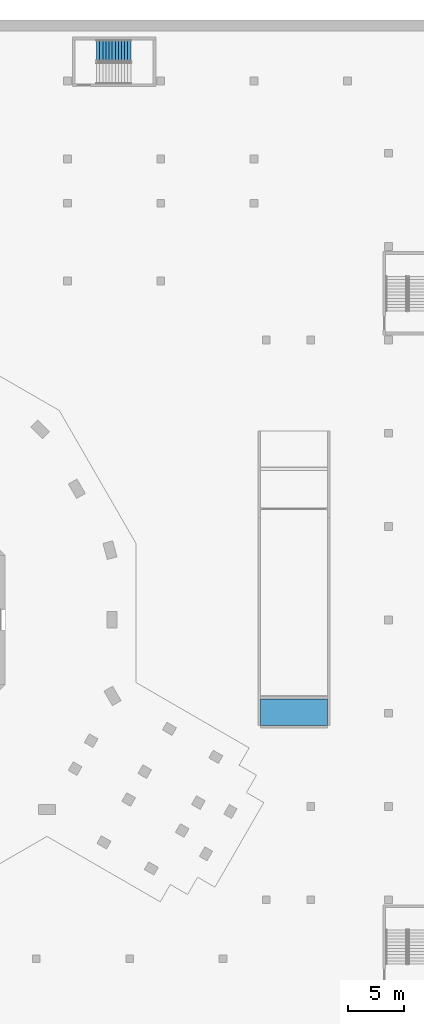
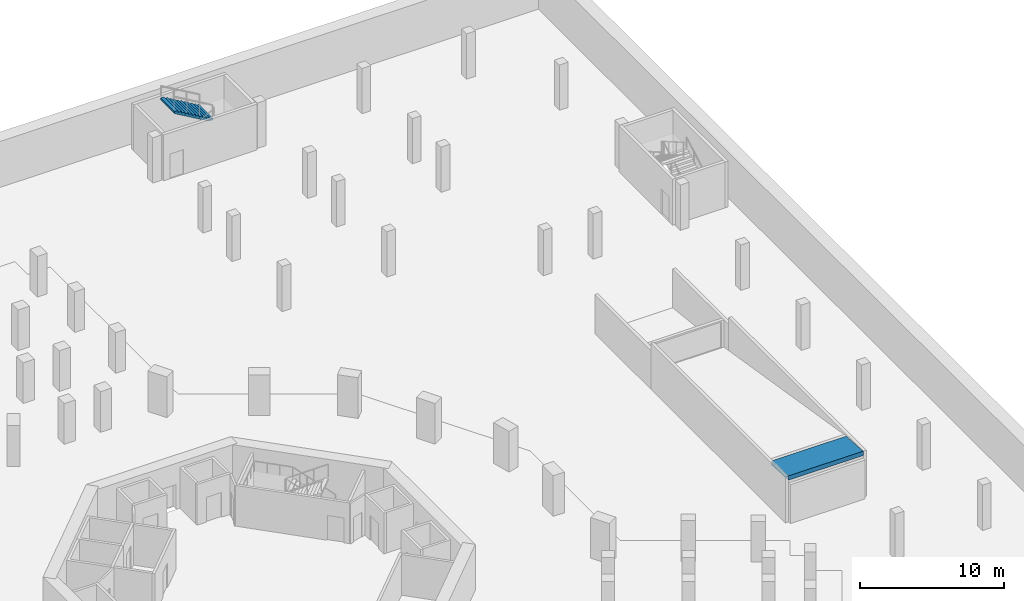
# One storey, part 18 of 25: 1 ramp flight, 1 stair flight, 2 elements without a shape of their own.
"""IFC4 building model written with IfcOpenShell, lengths in metres."""

from ifc_helpers import new_model, si_unit, direction, frame, origin, place, context, subcontext, project, spatial, triangles, material, layer, layer_set, type_object, element, aggregate, save


model = new_model("IFC4")

# Units and contexts
model_context = context("Model", 3, precision=1e-05, world=origin(), true_north=direction((0.0, 1.0)))
body_context = subcontext(model_context, "Body", "Model", "MODEL_VIEW")
ifc_project = project(units=[si_unit("LENGTHUNIT", "METRE"), si_unit("AREAUNIT", "SQUARE_METRE"), si_unit("VOLUMEUNIT", "CUBIC_METRE"), si_unit("PLANEANGLEUNIT", "RADIAN"), si_unit("MASSUNIT", "GRAM", prefix="KILO")], contexts=[model_context])

# Site, building, storey
site_placement = place(None, origin())
site = spatial("IfcSite", under=ifc_project, at=site_placement, CompositionType="ELEMENT")
building_placement = place(site_placement, origin())
building = spatial("IfcBuilding", under=site, at=building_placement, Name="Verdalira Terraces Hotel", CompositionType="ELEMENT")
storey_placement = place(building_placement, frame((0.0, 0.0, -3.899902)))
storey = spatial("IfcBuildingStorey", under=building, at=storey_placement, Name="B1", CompositionType="ELEMENT", Elevation=-3.89990234375)

# Stair, stair flight
ifc_material_1 = material(Name="Concrete C40", Category="concrete")
stair_type = type_object("IfcStairType", Name="Car park stair 24 risers", PredefinedType="HALF_TURN_STAIR", material=ifc_material_1)
stair_placement = place(storey_placement, origin())
stair = element("IfcStair", 1, at=stair_placement, inside=storey, type_object=stair_type, Name="B1 Exit stair Basement stair 3", PredefinedType="HALF_TURN_STAIR")
ifc_material_2 = material(Name="Concrete C40", Category="concrete")
stair_flight_type = type_object("IfcStairFlightType", Name="Car park stair flight 24 risers", PredefinedType="STRAIGHT", material=ifc_material_2)
stair_flight_placement = place(storey_placement, frame((25.304932, 51.237549, 1.949951), z_axis=(0.0, 0.0, 1.0), x_axis=(-1.0, 0.0, 0.0)))
stair_flight = element("IfcStairFlight", 2, at=stair_flight_placement, type_object=stair_flight_type, Name="Basement stair 3 flight 2", NumberOfRisers=12, NumberOfTreads=11, PredefinedType="STRAIGHT", RiserHeight=0.1625, TreadLength=0.28, context=body_context, shape_type="Tessellation", body=[
    triangles([(0.0, 0.962524, 0.0), (0.298584, 0.962524, 0.0), (3.080078, 0.962524, 1.614258), (0.0, -0.962524, 0.0), (0.298584, -0.962524, 0.0), (3.080078, -0.962524, 1.614258), (3.080078, 0.962524, 1.787598), (2.800049, 0.962524, 1.787598), (3.080078, -0.962524, 1.787598), (2.800049, -0.962524, 1.787598), (2.800049, 0.962524, 1.625), (2.800049, -0.962524, 1.625), (2.52002, 0.962524, 1.625), (2.52002, -0.962524, 1.625), (2.52002, 0.962524, 1.462402), (2.52002, -0.962524, 1.462402), (2.23999, 0.962524, 1.462402), (2.23999, 0.962524, 1.300049), (2.23999, -0.962524, 1.462402), (2.23999, -0.962524, 1.300049), (1.959961, 0.962524, 1.300049), (1.959961, 0.962524, 1.137451), (1.959961, -0.962524, 1.300049), (1.959961, -0.962524, 1.137451), (1.679932, 0.962524, 1.137451), (1.679932, 0.962524, 0.975098), (1.679932, -0.962524, 1.137451), (1.679932, -0.962524, 0.975098), (1.399902, 0.962524, 0.975098), (1.399902, 0.962524, 0.8125), (1.399902, -0.962524, 0.975098), (1.399902, -0.962524, 0.8125), (1.120117, 0.962524, 0.8125), (1.120117, 0.962524, 0.649902), (1.120117, -0.962524, 0.8125), (1.120117, -0.962524, 0.649902), (0.840088, 0.962524, 0.649902), (0.840088, 0.962524, 0.487549), (0.840088, -0.962524, 0.649902), (0.840088, -0.962524, 0.487549), (0.560059, 0.962524, 0.487549), (0.560059, 0.962524, 0.324951), (0.560059, -0.962524, 0.487549), (0.560059, -0.962524, 0.324951), (0.280029, 0.962524, 0.324951), (0.280029, 0.962524, 0.162598), (0.280029, -0.962524, 0.324951), (0.280029, -0.962524, 0.162598), (0.0, 0.962524, 0.162598), (0.0, -0.962524, 0.162598), (0.0, -0.902367, 0.0), (0.0, -0.902367, 0.162598), (0.0, -0.842209, 0.0), (0.0, -0.842209, 0.162598), (0.0, -0.782051, 0.0), (0.0, -0.782051, 0.162598), (0.0, -0.721893, 0.0), (0.0, -0.721893, 0.162598), (0.0, -0.661736, 0.0), (0.0, -0.661736, 0.162598), (0.0, -0.601578, 0.0), (0.0, -0.601578, 0.162598), (0.0, -0.54142, 0.0), (0.0, -0.54142, 0.162598), (0.0, -0.481262, 0.0), (0.0, -0.481262, 0.162598), (0.0, -0.421104, 0.0), (0.0, -0.421104, 0.162598), (0.0, -0.360947, 0.0), (0.0, -0.360947, 0.162598), (0.0, -0.300789, 0.0), (0.0, -0.300789, 0.162598), (0.0, -0.240631, 0.0), (0.0, -0.240631, 0.162598), (0.0, -0.180473, 0.0), (0.0, -0.180473, 0.162598), (0.0, -0.120316, 0.0), (0.0, -0.120316, 0.162598), (0.0, -0.060158, 0.0), (0.0, -0.060158, 0.162598), (0.0, 0.0, 0.0), (0.0, 0.0, 0.162598), (0.0, 0.060158, 0.0), (0.0, 0.060158, 0.162598), (0.0, 0.120316, 0.0), (0.0, 0.120316, 0.162598), (0.0, 0.180473, 0.0), (0.0, 0.180473, 0.162598), (0.0, 0.240631, 0.0), (0.0, 0.240631, 0.162598), (0.0, 0.300789, 0.0), (0.0, 0.300789, 0.162598), (0.0, 0.360947, 0.0), (0.0, 0.360947, 0.162598), (0.0, 0.421104, 0.0), (0.0, 0.421104, 0.162598), (0.0, 0.481262, 0.0), (0.0, 0.481262, 0.162598), (0.0, 0.54142, 0.0), (0.0, 0.54142, 0.162598), (0.0, 0.601578, 0.0), (0.0, 0.601578, 0.162598), (0.0, 0.661736, 0.0), (0.0, 0.661736, 0.162598), (0.0, 0.721893, 0.0), (0.0, 0.721893, 0.162598), (0.0, 0.782051, 0.0), (0.0, 0.782051, 0.162598), (0.0, 0.842209, 0.0), (0.0, 0.842209, 0.162598), (0.0, 0.902367, 0.0), (0.0, 0.902367, 0.162598), (3.080078, -0.902367, 1.787598), (3.080078, -0.842209, 1.787598), (3.080078, -0.782051, 1.787598), (3.080078, -0.721893, 1.787598), (3.080078, -0.661736, 1.787598), (3.080078, -0.601578, 1.787598), (3.080078, -0.54142, 1.787598), (3.080078, -0.481262, 1.787598), (3.080078, -0.421104, 1.787598), (3.080078, -0.360947, 1.787598), (3.080078, -0.300789, 1.787598), (3.080078, -0.240631, 1.787598), (3.080078, -0.180473, 1.787598), (3.080078, -0.120316, 1.787598), (3.080078, -0.060158, 1.787598), (3.080078, 0.0, 1.787598), (3.080078, 0.060158, 1.787598), (3.080078, 0.120316, 1.787598), (3.080078, 0.180473, 1.787598), (3.080078, 0.240631, 1.787598), (3.080078, 0.300789, 1.787598), (3.080078, 0.360947, 1.787598), (3.080078, 0.421104, 1.787598), (3.080078, 0.481262, 1.787598), (3.080078, 0.54142, 1.787598), (3.080078, 0.601578, 1.787598), (3.080078, 0.661736, 1.787598), (3.080078, 0.721893, 1.787598), (3.080078, 0.782051, 1.787598), (3.080078, 0.842209, 1.787598), (3.080078, 0.902367, 1.787598), (3.080078, -0.902367, 1.614258), (3.080078, -0.842209, 1.614258), (3.080078, -0.782051, 1.614258), (3.080078, -0.721893, 1.614258), (3.080078, -0.661736, 1.614258), (3.080078, -0.601578, 1.614258), (3.080078, -0.54142, 1.614258), (3.080078, -0.481262, 1.614258), (3.080078, -0.421104, 1.614258), (3.080078, -0.360947, 1.614258), (3.080078, -0.300789, 1.614258), (3.080078, -0.240631, 1.614258), (3.080078, -0.180473, 1.614258), (3.080078, -0.120316, 1.614258), (3.080078, -0.060158, 1.614258), (3.080078, 0.0, 1.614258), (3.080078, 0.060158, 1.614258), (3.080078, 0.120316, 1.614258), (3.080078, 0.180473, 1.614258), (3.080078, 0.240631, 1.614258), (3.080078, 0.300789, 1.614258), (3.080078, 0.360947, 1.614258), (3.080078, 0.421104, 1.614258), (3.080078, 0.481262, 1.614258), (3.080078, 0.54142, 1.614258), (3.080078, 0.601578, 1.614258), (3.080078, 0.661736, 1.614258), (3.080078, 0.721893, 1.614258), (3.080078, 0.782051, 1.614258), (3.080078, 0.842209, 1.614258), (3.080078, 0.902367, 1.614258)], [[1, 3, 2], [4, 5, 6], [3, 8, 7], [6, 9, 10], [3, 11, 8], [6, 10, 12], [3, 13, 11], [6, 12, 14], [3, 15, 13], [6, 14, 16], [15, 18, 17], [16, 19, 20], [3, 18, 15], [6, 16, 20], [18, 22, 21], [20, 23, 24], [3, 22, 18], [6, 20, 24], [22, 26, 25], [24, 27, 28], [3, 26, 22], [6, 24, 28], [26, 30, 29], [28, 31, 32], [3, 30, 26], [6, 28, 32], [30, 34, 33], [32, 35, 36], [3, 34, 30], [6, 32, 36], [34, 38, 37], [36, 39, 40], [3, 38, 34], [6, 36, 40], [38, 42, 41], [40, 43, 44], [3, 42, 38], [6, 40, 44], [1, 42, 3], [4, 6, 44], [42, 46, 45], [44, 47, 48], [1, 46, 42], [4, 44, 48], [46, 1, 49], [48, 50, 4], [4, 52, 51], [4, 50, 52], [51, 54, 53], [51, 52, 54], [53, 56, 55], [53, 54, 56], [55, 58, 57], [55, 56, 58], [57, 60, 59], [57, 58, 60], [59, 62, 61], [59, 60, 62], [61, 64, 63], [61, 62, 64], [63, 66, 65], [63, 64, 66], [65, 68, 67], [65, 66, 68], [67, 70, 69], [67, 68, 70], [69, 72, 71], [69, 70, 72], [71, 74, 73], [71, 72, 74], [73, 76, 75], [73, 74, 76], [75, 78, 77], [75, 76, 78], [77, 80, 79], [77, 78, 80], [79, 82, 81], [79, 80, 82], [81, 84, 83], [81, 82, 84], [83, 86, 85], [83, 84, 86], [85, 88, 87], [85, 86, 88], [87, 90, 89], [87, 88, 90], [89, 92, 91], [89, 90, 92], [91, 94, 93], [91, 92, 94], [93, 96, 95], [93, 94, 96], [95, 98, 97], [95, 96, 98], [97, 100, 99], [97, 98, 100], [99, 102, 101], [99, 100, 102], [101, 104, 103], [101, 102, 104], [103, 106, 105], [103, 104, 106], [105, 108, 107], [105, 106, 108], [107, 110, 109], [107, 108, 110], [109, 112, 111], [109, 110, 112], [111, 49, 1], [111, 112, 49], [50, 48, 52], [52, 48, 54], [54, 48, 56], [56, 48, 58], [58, 48, 60], [60, 48, 62], [62, 48, 64], [64, 48, 66], [66, 48, 68], [68, 48, 70], [70, 48, 72], [72, 48, 74], [74, 48, 76], [76, 48, 78], [78, 48, 80], [80, 48, 82], [82, 48, 84], [84, 48, 86], [86, 48, 88], [88, 48, 90], [90, 48, 92], [92, 48, 94], [94, 48, 96], [96, 48, 98], [98, 48, 100], [100, 48, 102], [102, 48, 104], [104, 48, 106], [106, 48, 108], [108, 48, 110], [110, 48, 112], [112, 48, 49], [49, 48, 46], [48, 45, 46], [48, 47, 45], [47, 42, 45], [47, 44, 42], [44, 41, 42], [44, 43, 41], [43, 38, 41], [43, 40, 38], [40, 37, 38], [40, 39, 37], [39, 34, 37], [39, 36, 34], [36, 33, 34], [36, 35, 33], [35, 30, 33], [35, 32, 30], [32, 29, 30], [32, 31, 29], [31, 26, 29], [31, 28, 26], [28, 25, 26], [28, 27, 25], [27, 22, 25], [27, 24, 22], [24, 21, 22], [24, 23, 21], [23, 18, 21], [23, 20, 18], [20, 17, 18], [20, 19, 17], [19, 15, 17], [19, 16, 15], [16, 13, 15], [16, 14, 13], [14, 11, 13], [14, 12, 11], [12, 8, 11], [12, 10, 8], [9, 113, 10], [113, 114, 10], [114, 115, 10], [115, 116, 10], [116, 117, 10], [117, 118, 10], [118, 119, 10], [119, 120, 10], [120, 121, 10], [121, 122, 10], [122, 123, 10], [123, 124, 10], [124, 125, 10], [125, 126, 10], [126, 127, 10], [127, 128, 10], [128, 129, 10], [129, 130, 10], [130, 131, 10], [131, 132, 10], [132, 133, 10], [133, 134, 10], [134, 135, 10], [135, 136, 10], [136, 137, 10], [137, 138, 10], [138, 139, 10], [139, 140, 10], [140, 141, 10], [141, 142, 10], [142, 143, 10], [143, 7, 10], [7, 8, 10], [9, 144, 113], [9, 6, 144], [113, 145, 114], [113, 144, 145], [114, 146, 115], [114, 145, 146], [115, 147, 116], [115, 146, 147], [116, 148, 117], [116, 147, 148], [117, 149, 118], [117, 148, 149], [118, 150, 119], [118, 149, 150], [119, 151, 120], [119, 150, 151], [120, 152, 121], [120, 151, 152], [121, 153, 122], [121, 152, 153], [122, 154, 123], [122, 153, 154], [123, 155, 124], [123, 154, 155], [124, 156, 125], [124, 155, 156], [125, 157, 126], [125, 156, 157], [126, 158, 127], [126, 157, 158], [127, 159, 128], [127, 158, 159], [128, 160, 129], [128, 159, 160], [129, 161, 130], [129, 160, 161], [130, 162, 131], [130, 161, 162], [131, 163, 132], [131, 162, 163], [132, 164, 133], [132, 163, 164], [133, 165, 134], [133, 164, 165], [134, 166, 135], [134, 165, 166], [135, 167, 136], [135, 166, 167], [136, 168, 137], [136, 167, 168], [137, 169, 138], [137, 168, 169], [138, 170, 139], [138, 169, 170], [139, 171, 140], [139, 170, 171], [140, 172, 141], [140, 171, 172], [141, 173, 142], [141, 172, 173], [142, 174, 143], [142, 173, 174], [143, 3, 7], [143, 174, 3], [6, 5, 144], [144, 5, 145], [145, 5, 146], [146, 5, 147], [147, 5, 148], [148, 5, 149], [149, 5, 150], [150, 5, 151], [151, 5, 152], [152, 5, 153], [153, 5, 154], [154, 5, 155], [155, 5, 156], [156, 5, 157], [157, 5, 158], [158, 5, 159], [159, 5, 160], [160, 5, 161], [161, 5, 162], [162, 5, 163], [163, 5, 164], [164, 5, 165], [165, 5, 166], [166, 5, 167], [167, 5, 168], [168, 5, 169], [169, 5, 170], [170, 5, 171], [171, 5, 172], [172, 5, 173], [173, 5, 174], [174, 5, 3], [3, 5, 2], [4, 51, 5], [51, 53, 5], [53, 55, 5], [55, 57, 5], [57, 59, 5], [59, 61, 5], [61, 63, 5], [63, 65, 5], [65, 67, 5], [67, 69, 5], [69, 71, 5], [71, 73, 5], [73, 75, 5], [75, 77, 5], [77, 79, 5], [79, 81, 5], [81, 83, 5], [83, 85, 5], [85, 87, 5], [87, 89, 5], [89, 91, 5], [91, 93, 5], [93, 95, 5], [95, 97, 5], [97, 99, 5], [99, 101, 5], [101, 103, 5], [103, 105, 5], [105, 107, 5], [107, 109, 5], [109, 111, 5], [111, 1, 5], [1, 2, 5]], closed=True),
])
aggregate(stair, [stair_flight])

# Ramp, ramp flight
ifc_material_3 = material(Name="Concrete C40", Category="concrete")
ifc_layer_1 = layer(ifc_material_3, 0.35009765625)
ifc_layer_set_1 = layer_set([ifc_layer_1], Name="Ramp 350 C40")
ramp_type = type_object("IfcRampType", Name="Ramp 350 C40", PredefinedType="STRAIGHT_RUN_RAMP", material=ifc_layer_set_1)
ramp_placement = place(storey_placement, origin())
ramp = element("IfcRamp", 3, at=ramp_placement, inside=storey, type_object=ramp_type, Name="Street ramp", PredefinedType="STRAIGHT_RUN_RAMP")
ifc_material_4 = material(Name="Concrete C40", Category="concrete")
ifc_layer_2 = layer(ifc_material_4, 0.35009765625)
ifc_layer_set_2 = layer_set([ifc_layer_2], Name="Ramp flight 350 C40")
ramp_flight_type = type_object("IfcRampFlightType", Name="Ramp flight 350 C40", PredefinedType="STRAIGHT", material=ifc_layer_set_2)
ramp_flight_placement = place(storey_placement, frame((43.0, -9.5, 3.899902), z_axis=(0.0, 0.06983321, 0.997558681), x_axis=(-1.0, 0.0, 0.0)))
ramp_flight = element("IfcRampFlight", 4, at=ramp_flight_placement, type_object=ramp_flight_type, Name="Street ramp flight 1", PredefinedType="STRAIGHT", context=body_context, shape_type="Tessellation", body=[
    triangles([(3.0, -1.190406, 0.0), (0.0, 0.0, 0.0), (6.0, 0.0, 0.0), (6.0, -2.380812, 0.0), (0.0, -2.380812, 0.0), (3.0, -1.190406, -0.35), (0.0, 0.0, -0.35), (6.0, 0.0, -0.35), (6.0, -2.380812, -0.35), (0.0, -2.380812, -0.35), (3.0, 0.0, -0.175), (6.0, -1.190406, -0.175), (3.0, -2.380812, -0.175), (0.0, -1.190406, -0.175)], [[3, 2, 1], [4, 3, 1], [5, 4, 1], [2, 5, 1], [7, 8, 6], [8, 9, 6], [9, 10, 6], [10, 7, 6], [2, 3, 11], [3, 8, 11], [8, 7, 11], [7, 2, 11], [3, 4, 12], [4, 9, 12], [9, 8, 12], [8, 3, 12], [4, 5, 13], [5, 10, 13], [10, 9, 13], [9, 4, 13], [5, 2, 14], [2, 7, 14], [7, 10, 14], [10, 5, 14]], closed=True),
])
aggregate(ramp, [ramp_flight])

save(model, "model.ifc")
